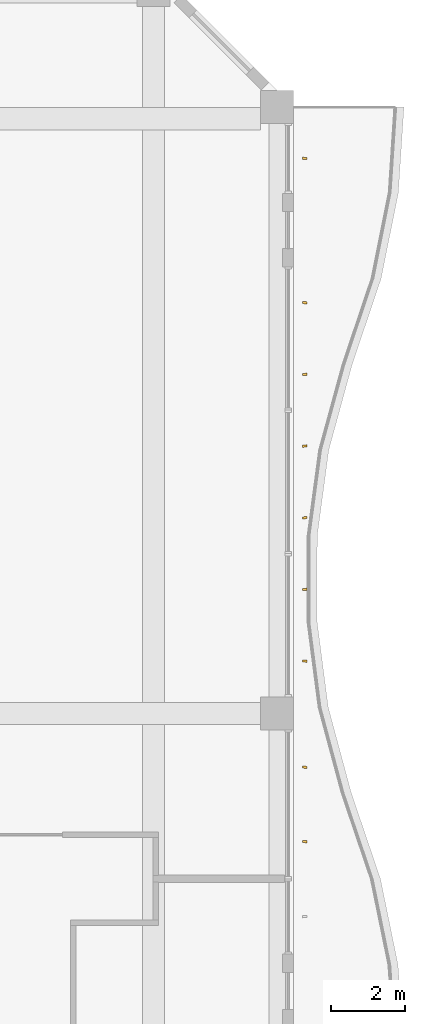
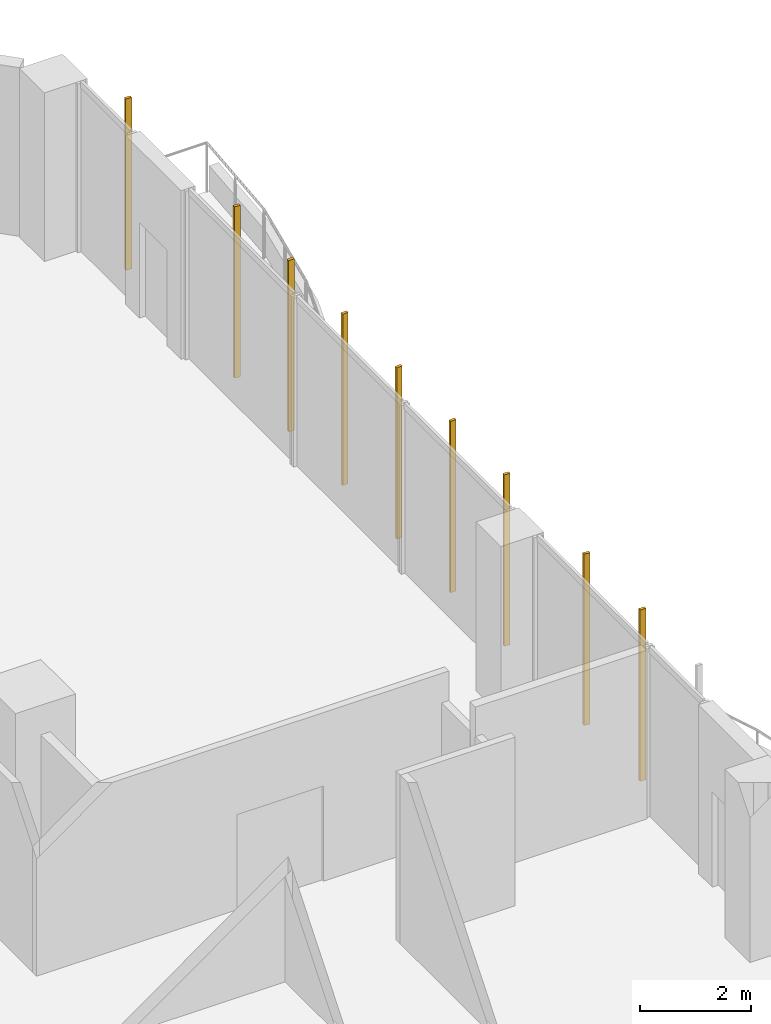
# One storey, part 26 of 26: 9 shading devices.
"""IFC4 building model written with IfcOpenShell, lengths in metres."""

from ifc_helpers import new_model, si_unit, direction, frame, origin, origin_2d, place, context, subcontext, project, spatial, rectangle, extrude, source, transform, mapped, material, material_profile, profile_set, type_object, element, save


model = new_model("IFC4")

# Units and contexts
model_context = context("Model", 3, precision=1e-05, world=origin(), true_north=direction((0.0, 1.0)))
body_context = subcontext(model_context, "Body", "Model", "MODEL_VIEW")
ifc_project = project(units=[si_unit("LENGTHUNIT", "METRE"), si_unit("AREAUNIT", "SQUARE_METRE"), si_unit("VOLUMEUNIT", "CUBIC_METRE"), si_unit("PLANEANGLEUNIT", "RADIAN"), si_unit("MASSUNIT", "GRAM", prefix="KILO")], contexts=[model_context])

# Site, building, storey
site_placement = place(None, origin())
site = spatial("IfcSite", under=ifc_project, at=site_placement, CompositionType="ELEMENT")
building_placement = place(site_placement, origin())
building = spatial("IfcBuilding", under=site, at=building_placement, Name="Kilnfold Tower and Market Hall", CompositionType="ELEMENT")
storey_placement = place(building_placement, frame((0.0, 0.0, 83.199951171875)))
storey = spatial("IfcBuildingStorey", under=building, at=storey_placement, Name="L19", CompositionType="ELEMENT", Elevation=83.199951171875)

# Shading devices
ifc_material = material(Name="Terracotta", Category="masonry")
ifc_material_profile = material_profile(ifc_material, rectangle(XDim=0.06005859375, YDim=0.1201171875, at=origin_2d()), Name="BAG 60x120")
ifc_profile_set = profile_set([ifc_material_profile], Name="Terracotta")
shading_device_type = type_object("IfcShadingDeviceType", Name="BAGUETTE", PredefinedType="USERDEFINED", material=ifc_profile_set)
shared_shape = source(origin(), body_context, "Body", "SweptSolid", [
    extrude(rectangle(XDim=0.06005859375, YDim=0.1201171875, at=origin_2d()), origin(), (0.0, 0.0, 1.0), 3.780029296875),
])
for number, where, z_axis, x_axis, name in (
    (1, (33.300048828125, 4.512451171875, 0.0), (0.0, 0.0, 1.0), (0.050458721374, 0.998726147368, 0.0), "Terracotta baguette L19 E"),
    (2, (33.300048828125, 6.53759765625, 0.0), (0.0, 0.0, 1.0), (0.133315073065, 0.991073706287, 0.0), "Terracotta baguette L19 E"),
    (3, (33.300048828125, 9.425048828125, 0.0), (0.0, 0.0, 1.0), (0.074917812113, 0.997189711854, 0.0), "Terracotta baguette L19 E"),
    (4, (33.300048828125, 11.375, 0.0), (0.0, 0.0, 1.0), (-0.042342987076, 0.999103133538, 0.0), "Terracotta baguette L19 E"),
    (5, (33.300048828125, 13.324951171875, 0.0), (0.0, 0.0, 1.0), (-0.128918481869, 0.991655194628, 0.0), "Terracotta baguette L19 E"),
    (6, (33.300048828125, 15.27490234375, 0.0), (0.0, 0.0, 1.0), (-0.123033378244, 0.992402533168, 0.0), "Terracotta baguette L19 E"),
    (7, (33.300048828125, 17.22509765625, 0.0), (0.0, 0.0, 1.0), (-0.028816632233, 0.999584714622, 0.0), "Terracotta baguette L19 E"),
    (8, (33.300048828125, 19.175048828125, 0.0), (0.0, 0.0, 1.0), (0.086296798712, 0.99626947285, 0.0), "Terracotta baguette L19 E"),
    (9, (33.300048828125, 23.10009765625, 0.0), (0.0, 0.0, 1.0), (0.091183558635, 0.995834101964, 0.0), "Terracotta baguette L19 E"),
):
    element("IfcShadingDevice", number, at=place(storey_placement, frame(where, z_axis=z_axis, x_axis=x_axis)), inside=storey, type_object=shading_device_type, Name=name, ObjectType="BAGUETTE", PredefinedType="USERDEFINED", context=body_context, shape_type="MappedRepresentation", body=[
        mapped(shared_shape, transform((0.0, 0.0, 0.0))),
    ])

save(model, "model.ifc")
